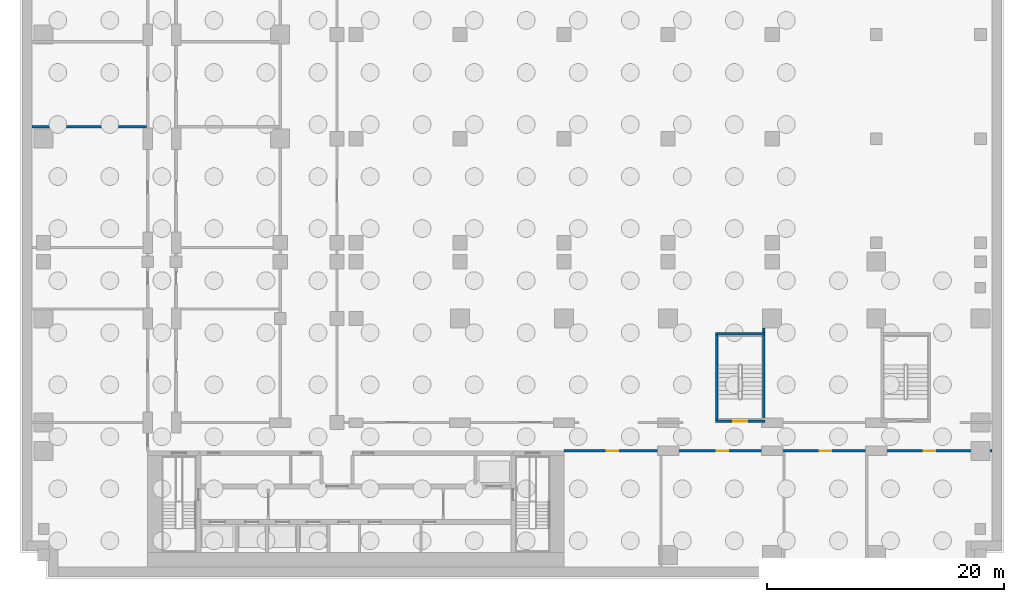
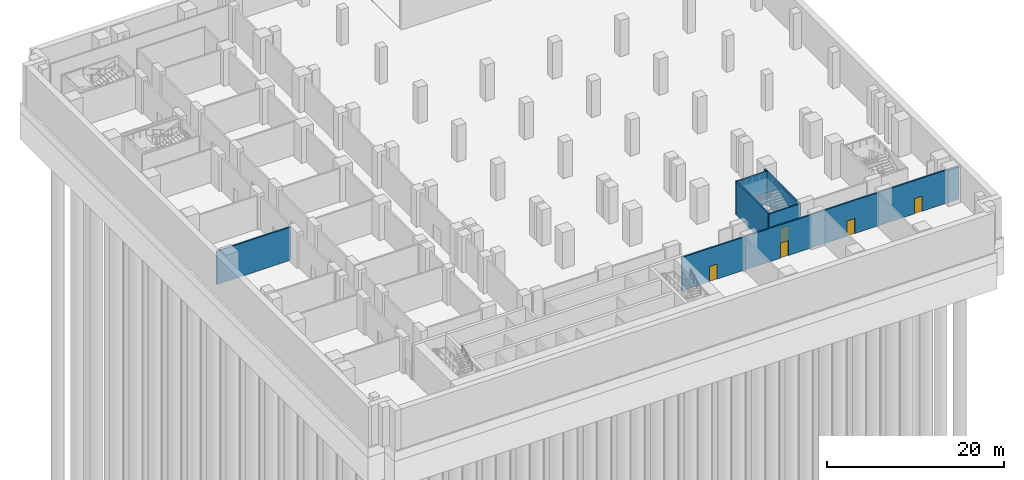
# One storey, part 5 of 14: 6 walls, 5 doors, 5 openings.
"""IFC4 building model written with IfcOpenShell, lengths in metres."""

import ifcopenshell
import ifcopenshell.guid

model = None  # the IFC model being written
_history = None  # IfcOwnerHistory: only IFC2X3 demands one
_inside = {}  # id of a spatial element -> (the spatial element, [elements in it])
_under = {}  # id of a project, library or spatial element -> (it, [spatial elements below it])
_declared = {}  # id of a project -> (the project, [libraries it declares])
_typed = {}  # id of a type object -> (the type object, [elements of that type])
_made_of = {}  # id of a material, layer set ... -> (it, [elements and type objects made of it])


def new_model(schema):
    """Start an empty IFC model of exactly this schema.

    Asked for "IFC4X3", IfcOpenShell would pick the latest addendum, in which some entities
    have other attributes; the version numbers below select the first issue.
    IFC2X3 requires an IfcOwnerHistory on every rooted entity: one is made here for all.
    """
    global model, _history
    if schema == "IFC4X3":
        model = ifcopenshell.file(schema_version=(4, 3, 0, 0))
    else:
        model = ifcopenshell.file(schema=schema)
    _inside.clear()
    _under.clear()
    _declared.clear()
    _typed.clear()
    _made_of.clear()
    _history = None
    if model.schema == "IFC2X3":
        org = make("IfcOrganization", Name="unknown")
        user = make(
            "IfcPersonAndOrganization",
            ThePerson=make("IfcPerson", FamilyName="unknown"),
            TheOrganization=org,
        )
        app = make(
            "IfcApplication",
            ApplicationDeveloper=org,
            Version="unknown",
            ApplicationFullName="unknown",
            ApplicationIdentifier="unknown",
        )
        _history = make(
            "IfcOwnerHistory",
            OwningUser=user,
            OwningApplication=app,
            ChangeAction="ADDED",
            CreationDate=0,
        )
    return model


def make(cls, **values):
    """One entity of the class cls with the attributes given. An attribute that is None is left unset."""
    return model.create_entity(
        cls, **{name: value for name, value in values.items() if value is not None}
    )


def rooted(cls, **values):
    """An entity with a GlobalId (a new one), such as an element, a storey or a relation."""
    return make(cls, GlobalId=ifcopenshell.guid.new(), OwnerHistory=_history, **values)


def si_unit(unit_type, name, prefix=None):
    """IfcSIUnit, for example si_unit("LENGTHUNIT", "METRE", prefix="MILLI")."""
    return make("IfcSIUnit", UnitType=unit_type, Prefix=prefix, Name=name)


def assignment(units):
    """IfcUnitAssignment: the units of a project."""
    return None if units is None else make("IfcUnitAssignment", Units=units)


def point(xyz):
    """IfcCartesianPoint."""
    return None if xyz is None else make("IfcCartesianPoint", Coordinates=xyz)


def direction(xyz):
    """IfcDirection."""
    return None if xyz is None else make("IfcDirection", DirectionRatios=xyz)


def frame(location, z_axis=None, x_axis=None):
    """IfcAxis2Placement3D, a coordinate frame: its origin and axes. An axis left out is left unset."""
    return make(
        "IfcAxis2Placement3D",
        Location=point(location),
        Axis=direction(z_axis),
        RefDirection=direction(x_axis),
    )


def frame_2d(location, x_axis=None):
    """IfcAxis2Placement2D, a coordinate frame in the plane: its origin and x axis."""
    return make(
        "IfcAxis2Placement2D", Location=point(location), RefDirection=direction(x_axis)
    )


def origin():
    """The frame at (0, 0, 0) with its axes left unset."""
    return frame((0.0, 0.0, 0.0))


def place(relative_to, where):
    """IfcLocalPlacement: puts the frame where relative to a parent placement (None: the world)."""
    return make(
        "IfcLocalPlacement", PlacementRelTo=relative_to, RelativePlacement=where
    )


def context(
    kind, dimensions, precision=None, world=None, true_north=None, identifier=None
):
    """IfcGeometricRepresentationContext, for example the 3D "Model" context."""
    return make(
        "IfcGeometricRepresentationContext",
        ContextIdentifier=identifier,
        ContextType=kind,
        CoordinateSpaceDimension=dimensions,
        Precision=precision,
        WorldCoordinateSystem=world,
        TrueNorth=true_north,
    )


def subcontext(parent, identifier, kind, view, scale=None):
    """IfcGeometricRepresentationSubContext, for example "Body" below "Model"."""
    return make(
        "IfcGeometricRepresentationSubContext",
        ContextIdentifier=identifier,
        ContextType=kind,
        ParentContext=parent,
        TargetScale=scale,
        TargetView=view,
    )


def project(units=None, contexts=None):
    """IfcProject with its units and contexts."""
    return rooted(
        "IfcProject",
        Name="project",
        RepresentationContexts=contexts,
        UnitsInContext=assignment(units),
    )


def spatial(cls, under=None, at=None, **own):
    """A site, building, storey or space (cls), placed at a placement, below another one or the project."""
    s = rooted(cls, ObjectPlacement=at, **own)
    if under is not None:
        _under.setdefault(under.id(), (under, []))[1].append(s)
    return s


def profile(cls, at=None, kind="AREA", **sizes):
    """A parametric profile (cls). Its sizes go by their IFC names, for example OverallWidth=200.0."""
    return make(cls, ProfileType=kind, Position=at, **sizes)


def rectangle(**sizes):
    """IfcRectangleProfileDef."""
    return profile("IfcRectangleProfileDef", **sizes)


def extrude(swept, where, along, depth):
    """IfcExtrudedAreaSolid: the profile swept, set in the frame where, extruded along a direction by depth."""
    return make(
        "IfcExtrudedAreaSolid",
        SweptArea=swept,
        Position=where,
        ExtrudedDirection=direction(along),
        Depth=depth,
    )


def shape(context_of_items, identifier, shape_type, items):
    """IfcShapeRepresentation: the items that make up one representation, for example the "Body"."""
    return make(
        "IfcShapeRepresentation",
        ContextOfItems=context_of_items,
        RepresentationIdentifier=identifier,
        RepresentationType=shape_type,
        Items=items,
    )


def material(Name=None, Category=None):
    """IfcMaterial."""
    return make("IfcMaterial", Name=Name, Category=Category)


def layer(
    of_material, thickness, ventilated=None, Name=None, Category=None, Priority=None
):
    """IfcMaterialLayer: one layer of a wall or slab, of a material (None: an air gap)."""
    return make(
        "IfcMaterialLayer",
        Material=of_material,
        LayerThickness=thickness,
        IsVentilated=ventilated,
        Name=Name,
        Category=Category,
        Priority=Priority,
    )


def layer_set(layers, Name=None):
    """IfcMaterialLayerSet."""
    return make("IfcMaterialLayerSet", MaterialLayers=layers, LayerSetName=Name)


def made_of(thing, what):
    """Note that an element or type object is made of a material, layer set ...; save() writes the relation."""
    if what is not None:
        _made_of.setdefault(what.id(), (what, []))[1].append(thing)
    return thing


def type_object(cls, material=None, **own):
    """A type object (cls), such as IfcWallType, which elements share."""
    return made_of(rooted(cls, **own), material)


def element(
    cls,
    number,
    at=None,
    inside=None,
    cuts=None,
    type_object=None,
    material=None,
    context=None,
    identifier="Body",
    shape_type=None,
    held_by="IfcProductDefinitionShape",
    body=None,
    shapes=None,
    **own,
):
    """One element of the class cls, such as IfcWall. Its Tag is "e" and its number.

    at: its placement. inside: the storey or other place that contains it. cuts: it is an
    opening in that element (IfcRelVoidsElement). A single representation is given by context,
    identifier, shape_type and body (its items); several are given by shapes. held_by: the class
    of the entity that holds the representations. save() writes the other relations.
    """
    e = rooted(cls, Tag="e%d" % number, ObjectPlacement=at, **own)
    if body is not None:
        shapes = [shape(context, identifier, shape_type, body)]
    if shapes is not None:
        e.Representation = make(held_by, Representations=shapes)
    if inside is not None:
        _inside.setdefault(inside.id(), (inside, []))[1].append(e)
    if cuts is not None:
        rooted(
            "IfcRelVoidsElement", RelatingBuildingElement=cuts, RelatedOpeningElement=e
        )
    if type_object is not None:
        _typed.setdefault(type_object.id(), (type_object, []))[1].append(e)
    return made_of(e, material)


def fill(opening, filler):
    """IfcRelFillsElement: the door or window that sits in an opening."""
    return rooted(
        "IfcRelFillsElement",
        RelatingOpeningElement=opening,
        RelatedBuildingElement=filler,
    )


def aggregate(whole, parts):
    """IfcRelAggregates: a whole, such as a stair, and the parts it consists of."""
    return rooted("IfcRelAggregates", RelatingObject=whole, RelatedObjects=parts)


def save(model, path):
    """Write the relations noted so far, then the file.

    IfcRelAggregates (storeys below a building ...), IfcRelContainedInSpatialStructure (elements
    in a storey), IfcRelDefinesByType, IfcRelAssociatesMaterial and IfcRelDeclares: one each for
    every whole, place, type object, material and project.
    """
    for whole, parts in _under.values():
        aggregate(whole, parts)
    for where, things in _inside.values():
        rooted(
            "IfcRelContainedInSpatialStructure",
            RelatedElements=things,
            RelatingStructure=where,
        )
    for kind, things in _typed.values():
        rooted("IfcRelDefinesByType", RelatedObjects=things, RelatingType=kind)
    for what, things in _made_of.values():
        rooted("IfcRelAssociatesMaterial", RelatedObjects=things, RelatingMaterial=what)
    for by, libraries in _declared.values():
        rooted("IfcRelDeclares", RelatingContext=by, RelatedDefinitions=libraries)
    model.write(path)


model = new_model("IFC4")

# Units and contexts
model_context = context("Model", 3, precision=1e-05, world=origin(), true_north=direction((0.0, 1.0)))
body_context = subcontext(model_context, "Body", "Model", "MODEL_VIEW")
ifc_project = project(units=[si_unit("LENGTHUNIT", "METRE"), si_unit("AREAUNIT", "SQUARE_METRE"), si_unit("VOLUMEUNIT", "CUBIC_METRE"), si_unit("PLANEANGLEUNIT", "RADIAN"), si_unit("MASSUNIT", "GRAM", prefix="KILO")], contexts=[model_context])

# Site, building, storey
site_placement = place(None, origin())
site = spatial("IfcSite", under=ifc_project, at=site_placement, CompositionType="ELEMENT")
building_placement = place(site_placement, origin())
building = spatial("IfcBuilding", under=site, at=building_placement, Name="Kemantara Hotel Tower", CompositionType="ELEMENT")
storey_placement = place(building_placement, frame((0.0, 0.0, -17.0)))
storey = spatial("IfcBuildingStorey", under=building, at=storey_placement, Name="B3", CompositionType="ELEMENT", Elevation=-17.0)

# Wall, opening, door
ifc_material_1 = material(Name="Concrete fc 40 MPa", Category="concrete")
ifc_layer_1 = layer(ifc_material_1, 0.199951171875)
ifc_layer_set_1 = layer_set([ifc_layer_1], Name="Concrete fc 40 MPa")
wall_type_1 = type_object("IfcWallType", Name="Concrete stair wall 200 mm", PredefinedType="SHEAR", material=ifc_layer_set_1)
wall_1_placement = place(storey_placement, frame((57.800048828125, 12.300048828125, 0.0), z_axis=(0.0, 0.0, 1.0), x_axis=(1.0, 0.0, 0.0)))
wall_1 = element("IfcWall", 1, at=wall_1_placement, inside=storey, type_object=wall_type_1, Name="Stair ST3 enclosure wall with door", PredefinedType="SHEAR", context=body_context, shape_type="SweptSolid", body=[
    extrude(rectangle(XDim=4.199951171875, YDim=0.199951171875, at=frame_2d((2.10009765625, 0.0))), origin(), (0.0, 0.0, 1.0), 4.60009765625),
])
opening_1_placement = place(wall_1_placement, frame((1.5, 0.0, 0.0)))
opening_1 = element("IfcOpeningElement", 2, at=opening_1_placement, cuts=wall_1, Name="Opening ST3-C", PredefinedType="OPENING", context=body_context, shape_type="SweptSolid", body=[
    extrude(rectangle(XDim=1.199951171875, YDim=2.10009765625, at=frame_2d((0.60009765625, 1.050048828125))), frame((0.0, 0.10986328125, 0.0), z_axis=(0.0, -1.0, 0.0), x_axis=(1.0, 0.0, 0.0)), (0.0, 0.0, 1.0), 0.219970703125),
])
ifc_material_2 = material(Name="Steel fire door", Category="steel")
door_type_1 = type_object("IfcDoorType", Name="Fire door FD90 1200 x 2100", OperationType="NOTDEFINED", PredefinedType="DOOR", material=ifc_material_2)
door_1_placement = place(opening_1_placement, origin())
door_1 = element("IfcDoor", 3, at=door_1_placement, inside=storey, type_object=door_type_1, Name="Stair ST3 door", OperationType="SINGLE_SWING_RIGHT", OverallHeight=2.10009765625, OverallWidth=1.199951171875, PredefinedType="DOOR", context=body_context, shape_type="SweptSolid", body=[
    extrude(rectangle(XDim=1.199951171875, YDim=2.10009765625, at=frame_2d((0.60009765625, 1.050048828125))), frame((0.0, 0.02490234375, 0.0), z_axis=(0.0, -1.0, 0.0), x_axis=(1.0, 0.0, 0.0)), (0.0, 0.0, 1.0), 0.050048828125),
])
fill(opening_1, door_1)

# Walls
wall_2_placement = place(storey_placement, frame((57.800048828125, 19.699951171875, 0.0), z_axis=(0.0, 0.0, 1.0), x_axis=(1.0, 0.0, 0.0)))
element("IfcWall", 4, at=wall_2_placement, inside=storey, type_object=wall_type_1, Name="Stair ST3 enclosure wall N", PredefinedType="SHEAR", context=body_context, shape_type="SweptSolid", body=[
    extrude(rectangle(XDim=4.199951171875, YDim=0.199951171875, at=frame_2d((2.10009765625, 0.0))), origin(), (0.0, 0.0, 1.0), 4.60009765625),
])
wall_3_placement = place(storey_placement, frame((57.89990234375, 12.39990234375, 0.0), z_axis=(0.0, 0.0, 1.0), x_axis=(0.0, 1.0, 0.0)))
element("IfcWall", 5, at=wall_3_placement, inside=storey, type_object=wall_type_1, Name="Stair ST3 enclosure wall W", PredefinedType="SHEAR", context=body_context, shape_type="SweptSolid", body=[
    extrude(rectangle(XDim=7.2001953125, YDim=0.199951171875, at=frame_2d((3.60009765625, 0.0))), origin(), (0.0, 0.0, 1.0), 4.60009765625),
])
wall_4_placement = place(storey_placement, frame((61.89990234375, 12.39990234375, 0.0), z_axis=(0.0, 0.0, 1.0), x_axis=(0.0, 1.0, 0.0)))
element("IfcWall", 6, at=wall_4_placement, inside=storey, type_object=wall_type_1, Name="Stair ST3 enclosure wall E", PredefinedType="SHEAR", context=body_context, shape_type="SweptSolid", body=[
    extrude(rectangle(XDim=7.800048828125, YDim=0.199951171875, at=frame_2d((3.89990234375, 0.0))), origin(), (0.0, 0.0, 1.0), 4.60009765625),
])
ifc_material_3 = material(Name="Clay brick masonry", Category="masonry")
ifc_layer_2 = layer(ifc_material_3, 0.199951171875)
ifc_layer_set_2 = layer_set([ifc_layer_2], Name="Clay brick masonry")
wall_type_2 = type_object("IfcWallType", Name="FIRE-RATED CLAY BRICK WALL 200 EI 120", PredefinedType="PARTITIONING", material=ifc_layer_set_2)
wall_5_placement = place(storey_placement, frame((0.0, 37.199951171875, 0.0), z_axis=(0.0, 0.0, 1.0), x_axis=(1.0, 0.0, 0.0)))
element("IfcWall", 7, at=wall_5_placement, inside=storey, type_object=wall_type_2, Name="FIRE WALL", PredefinedType="PARTITIONING", context=body_context, shape_type="SweptSolid", body=[
    extrude(rectangle(XDim=9.699951171875, YDim=0.199951171875, at=frame_2d((4.85009765625, 0.0))), origin(), (0.0, 0.0, 1.0), 4.60009765625),
])

# Wall, openings, doors
ifc_material_4 = material(Name="Fire-rated gypsum board partition")
ifc_layer_3 = layer(ifc_material_4, 0.199951171875)
ifc_layer_set_3 = layer_set([ifc_layer_3], Name="Fire-rated gypsum board partition")
wall_type_3 = type_object("IfcWallType", Name="FIRE-RATED GYPSUM PARTITION 200 EI 60", PredefinedType="PARTITIONING", material=ifc_layer_set_3)
wall_6_placement = place(storey_placement, frame((45.0, 9.800048828125, 0.0), z_axis=(0.0, 0.0, 1.0), x_axis=(1.0, 0.0, 0.0)))
wall_6 = element("IfcWall", 8, at=wall_6_placement, inside=storey, type_object=wall_type_3, Name="FIRE-RATED PARTITION", PredefinedType="PARTITIONING", context=body_context, shape_type="SweptSolid", body=[
    extrude(rectangle(XDim=36.199951171875, YDim=0.199951171875, at=frame_2d((18.10009765625, 0.0))), origin(), (0.0, 0.0, 1.0), 4.60009765625),
])
opening_2_placement = place(wall_6_placement, frame((3.60009765625, 0.0, 0.0)))
opening_2 = element("IfcOpeningElement", 9, at=opening_2_placement, cuts=wall_6, Name="Opening B3-B017", PredefinedType="OPENING", context=body_context, shape_type="SweptSolid", body=[
    extrude(rectangle(XDim=1.0, YDim=2.10009765625, at=frame_2d((0.5, 1.050048828125))), frame((0.0, 0.10986328125, 0.0), z_axis=(0.0, -1.0, 0.0), x_axis=(1.0, 0.0, 0.0)), (0.0, 0.0, 1.0), 0.219970703125),
])
opening_3_placement = place(wall_6_placement, frame((12.89990234375, 0.0, 0.0)))
opening_3 = element("IfcOpeningElement", 10, at=opening_3_placement, cuts=wall_6, Name="Opening B3-B018", PredefinedType="OPENING", context=body_context, shape_type="SweptSolid", body=[
    extrude(rectangle(XDim=1.0, YDim=2.10009765625, at=frame_2d((0.5, 1.050048828125))), frame((0.0, 0.10986328125, 0.0), z_axis=(0.0, -1.0, 0.0), x_axis=(1.0, 0.0, 0.0)), (0.0, 0.0, 1.0), 0.219970703125),
])
opening_4_placement = place(wall_6_placement, frame((21.60009765625, 0.0, 0.0)))
opening_4 = element("IfcOpeningElement", 11, at=opening_4_placement, cuts=wall_6, Name="Opening B3-B019", PredefinedType="OPENING", context=body_context, shape_type="SweptSolid", body=[
    extrude(rectangle(XDim=1.0, YDim=2.10009765625, at=frame_2d((0.5, 1.050048828125))), frame((0.0, 0.10986328125, 0.0), z_axis=(0.0, -1.0, 0.0), x_axis=(1.0, 0.0, 0.0)), (0.0, 0.0, 1.0), 0.219970703125),
])
opening_5_placement = place(wall_6_placement, frame((30.39990234375, 0.0, 0.0)))
opening_5 = element("IfcOpeningElement", 12, at=opening_5_placement, cuts=wall_6, Name="Opening B3-B020", PredefinedType="OPENING", context=body_context, shape_type="SweptSolid", body=[
    extrude(rectangle(XDim=1.0, YDim=2.10009765625, at=frame_2d((0.5, 1.050048828125))), frame((0.0, 0.10986328125, 0.0), z_axis=(0.0, -1.0, 0.0), x_axis=(1.0, 0.0, 0.0)), (0.0, 0.0, 1.0), 0.219970703125),
])
ifc_material_5 = material(Name="Galvanised steel door leaf", Category="steel")
door_type_2 = type_object("IfcDoorType", Name="FIRE-RATED STEEL DOOR 1000 X 2100", OperationType="SINGLE_SWING_LEFT", PredefinedType="DOOR", material=ifc_material_5)
door_2_placement = place(opening_2_placement, origin())
door_2 = element("IfcDoor", 13, at=door_2_placement, inside=storey, type_object=door_type_2, Name="FIRE-RATED STEEL DOOR", OperationType="SINGLE_SWING_LEFT", OverallHeight=2.10009765625, OverallWidth=1.0, PredefinedType="DOOR", context=body_context, shape_type="SweptSolid", body=[
    extrude(rectangle(XDim=1.0, YDim=2.10009765625, at=frame_2d((0.5, 1.050048828125))), frame((0.0, 0.02490234375, 0.0), z_axis=(0.0, -1.0, 0.0), x_axis=(1.0, 0.0, 0.0)), (0.0, 0.0, 1.0), 0.050048828125),
])
fill(opening_2, door_2)
door_3_placement = place(opening_3_placement, origin())
door_3 = element("IfcDoor", 14, at=door_3_placement, inside=storey, type_object=door_type_2, Name="FIRE-RATED STEEL DOOR", OperationType="SINGLE_SWING_LEFT", OverallHeight=2.10009765625, OverallWidth=1.0, PredefinedType="DOOR", context=body_context, shape_type="SweptSolid", body=[
    extrude(rectangle(XDim=1.0, YDim=2.10009765625, at=frame_2d((0.5, 1.050048828125))), frame((0.0, 0.02490234375, 0.0), z_axis=(0.0, -1.0, 0.0), x_axis=(1.0, 0.0, 0.0)), (0.0, 0.0, 1.0), 0.050048828125),
])
fill(opening_3, door_3)
door_4_placement = place(opening_4_placement, origin())
door_4 = element("IfcDoor", 15, at=door_4_placement, inside=storey, type_object=door_type_2, Name="FIRE-RATED STEEL DOOR", OperationType="SINGLE_SWING_RIGHT", OverallHeight=2.10009765625, OverallWidth=1.0, PredefinedType="DOOR", context=body_context, shape_type="SweptSolid", body=[
    extrude(rectangle(XDim=1.0, YDim=2.10009765625, at=frame_2d((0.5, 1.050048828125))), frame((0.0, 0.02490234375, 0.0), z_axis=(0.0, -1.0, 0.0), x_axis=(1.0, 0.0, 0.0)), (0.0, 0.0, 1.0), 0.050048828125),
])
fill(opening_4, door_4)
door_5_placement = place(opening_5_placement, origin())
door_5 = element("IfcDoor", 16, at=door_5_placement, inside=storey, type_object=door_type_2, Name="FIRE-RATED STEEL DOOR", OperationType="SINGLE_SWING_RIGHT", OverallHeight=2.10009765625, OverallWidth=1.0, PredefinedType="DOOR", context=body_context, shape_type="SweptSolid", body=[
    extrude(rectangle(XDim=1.0, YDim=2.10009765625, at=frame_2d((0.5, 1.050048828125))), frame((0.0, 0.02490234375, 0.0), z_axis=(0.0, -1.0, 0.0), x_axis=(1.0, 0.0, 0.0)), (0.0, 0.0, 1.0), 0.050048828125),
])
fill(opening_5, door_5)

save(model, "model.ifc")
